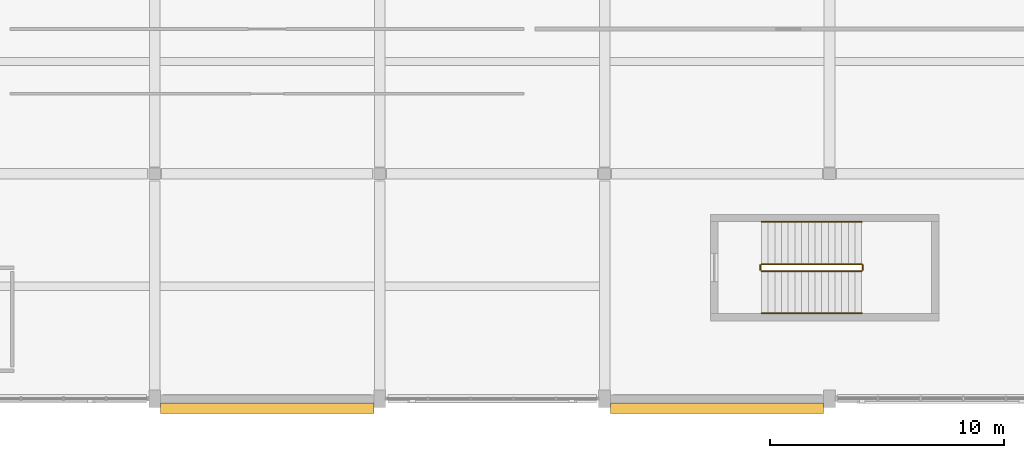
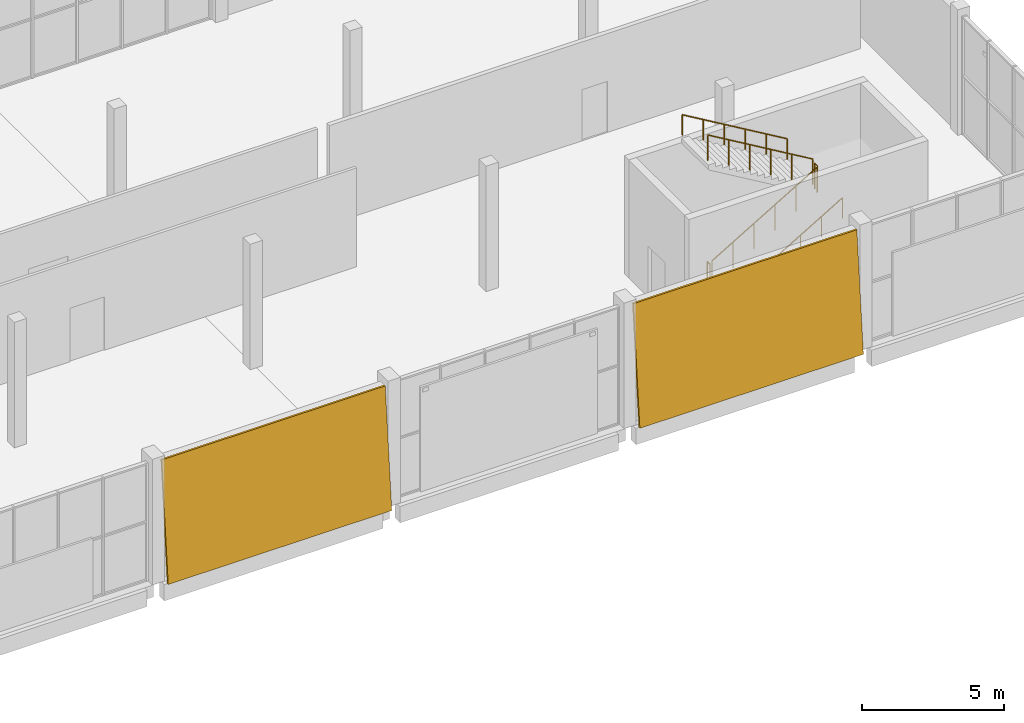
# One storey, part 69 of 83: 6 railings, 2 coverings.
"""IFC4 building model written with IfcOpenShell, lengths in metres."""

from ifc_helpers import new_model, si_unit, direction, frame, origin, origin_2d, place, context, subcontext, project, spatial, polyline, circle, outline, extrude, material, layer, layer_set, type_object, element, save


model = new_model("IFC4")

# Units and contexts
model_context = context("Model", 3, precision=1e-05, world=origin(), true_north=direction((0.0, 1.0)))
body_context = subcontext(model_context, "Body", "Model", "MODEL_VIEW")
ifc_project = project(units=[si_unit("LENGTHUNIT", "METRE"), si_unit("AREAUNIT", "SQUARE_METRE"), si_unit("VOLUMEUNIT", "CUBIC_METRE"), si_unit("PLANEANGLEUNIT", "RADIAN"), si_unit("MASSUNIT", "GRAM", prefix="KILO")], contexts=[model_context])

# Site, building, storey
site_placement = place(None, origin())
site = spatial("IfcSite", under=ifc_project, at=site_placement, CompositionType="ELEMENT")
building_placement = place(site_placement, origin())
building = spatial("IfcBuilding", under=site, at=building_placement, Name="Shalvenor Court Art Gallery", CompositionType="ELEMENT")
storey_placement = place(building_placement, frame((0.0, 0.0, 6.0)))
storey = spatial("IfcBuildingStorey", under=building, at=storey_placement, Name="L01", CompositionType="ELEMENT", Elevation=6.0)

# Coverings
ifc_material_1 = material(Name="Honed Jerusalem limestone cladding", Category="masonry")
ifc_layer = layer(ifc_material_1, 0.06494140625, Name="Honed Jerusalem limestone cladding")
ifc_layer_set = layer_set([ifc_layer], Name="Honed Jerusalem limestone cladding")
covering_type = type_object("IfcCoveringType", Name="CLD-02", PredefinedType="CLADDING", material=ifc_layer_set)
covering_1_placement = place(storey_placement, frame((48.25, -0.63232421875, 0.0), z_axis=(0.0, 0.0, 1.0), x_axis=(1.0, 0.0, 0.0)))
element("IfcCovering", 1, at=covering_1_placement, inside=storey, type_object=covering_type, Name="L01 V4 Tapered Limestone Cladding 76", PredefinedType="CLADDING", context=body_context, shape_type="SweptSolid", body=[
    extrude(outline(polyline([(0.0, 0.0), (9.10009765625, 0.0), (9.10009765625, 5.10107421875), (0.0, 5.10107421875), (0.0, 0.0)])), frame((0.0, 0.0, 0.0), z_axis=(0.0, -0.995884398616, 0.090632580198), x_axis=(1.0, 0.0, 0.0)), (0.0, 0.090632580198, -0.995884398616), 0.080322265625),
])
covering_2_placement = place(storey_placement, frame((29.050048828125, -0.63232421875, 0.0), z_axis=(0.0, 0.0, 1.0), x_axis=(1.0, 0.0, 0.0)))
element("IfcCovering", 2, at=covering_2_placement, inside=storey, type_object=covering_type, Name="L01 V4 Tapered Limestone Cladding 77", PredefinedType="CLADDING", context=body_context, shape_type="SweptSolid", body=[
    extrude(outline(polyline([(0.0, 0.0), (9.099853515625, 0.0), (9.099853515625, 5.10107421875), (0.0, 5.10107421875), (0.0, 0.0)])), frame((0.0, 0.0, 0.0), z_axis=(0.0, -0.995884398616, 0.090632580198), x_axis=(1.0, 0.0, 0.0)), (0.0, 0.090632580198, -0.995884398616), 0.080322265625),
])

# Railings
ifc_material_2 = material(Name="Painted steel post-and-rail guard", Category="steel")
railing_type_1 = type_object("IfcRailingType", Name="GR-02", PredefinedType="GUARDRAIL", material=ifc_material_2)
railing_1_placement = place(storey_placement, frame((54.699951171875, 5.449951171875, 0.168701171875)))
element("IfcRailing", 3, at=railing_1_placement, inside=storey, type_object=railing_type_1, Name="L01 ST-08 Stair Guard 1", PredefinedType="GUARDRAIL", context=body_context, shape_type="SweptSolid", body=[
    extrude(circle(Radius=0.02392578125, at=origin_2d()), frame((0.0, 0.0, 1.09619140625), z_axis=(0.860483042394, 0.0, 0.50947908078), x_axis=(0.0, 1.0, 0.0)), (0.0, 0.0, 1.0), 4.96826171875),
    extrude(circle(Radius=0.02099609375, at=origin_2d()), origin(), (0.0, 0.0, 1.0), 1.072021484375),
    extrude(circle(Radius=0.02099609375, at=origin_2d()), frame((0.85498046875, 0.0, 0.50634765625)), (0.0, 0.0, 1.0), 1.072021484375),
    extrude(circle(Radius=0.02099609375, at=origin_2d()), frame((1.7099609375, 0.0, 1.012451171875)), (0.0, 0.0, 1.0), 1.072021484375),
    extrude(circle(Radius=0.02099609375, at=origin_2d()), frame((2.565185546875, 0.0, 1.518798828125)), (0.0, 0.0, 1.0), 1.072021484375),
    extrude(circle(Radius=0.02099609375, at=origin_2d()), frame((3.420166015625, 0.0, 2.02490234375)), (0.0, 0.0, 1.0), 1.072021484375),
    extrude(circle(Radius=0.02099609375, at=origin_2d()), frame((4.275146484375, 0.0, 2.53125)), (0.0, 0.0, 1.0), 1.072021484375),
])
railing_2_placement = place(storey_placement, frame((59.02490234375, 5.5, 2.699951171875)))
element("IfcRailing", 4, at=railing_2_placement, inside=storey, type_object=railing_type_1, Name="L01 ST-08 Stair Guard 2", PredefinedType="GUARDRAIL", context=body_context, shape_type="SweptSolid", body=[
    extrude(circle(Radius=0.02392578125, at=origin_2d()), frame((0.0, 0.0, 1.09619140625), z_axis=(0.0, 1.0, 0.0), x_axis=(-1.0, 0.0, 0.0)), (0.0, 0.0, 1.0), 0.199951171875),
    extrude(circle(Radius=0.02099609375, at=origin_2d()), origin(), (0.0, 0.0, 1.0), 1.072021484375),
    extrude(circle(Radius=0.02099609375, at=origin_2d()), frame((0.0, 0.199951171875, 0.0)), (0.0, 0.0, 1.0), 1.072021484375),
])
railing_3_placement = place(storey_placement, frame((58.97509765625, 5.75, 2.86865234375)))
element("IfcRailing", 5, at=railing_3_placement, inside=storey, type_object=railing_type_1, Name="L01 ST-08 Stair Guard 3", PredefinedType="GUARDRAIL", context=body_context, shape_type="SweptSolid", body=[
    extrude(circle(Radius=0.02392578125, at=origin_2d()), frame((0.0, 0.0, 1.09619140625), z_axis=(-0.860483042394, 0.0, 0.50947908078), x_axis=(0.0, -1.0, 0.0)), (0.0, 0.0, 1.0), 4.96826171875),
    extrude(circle(Radius=0.02099609375, at=origin_2d()), origin(), (0.0, 0.0, 1.0), 1.072021484375),
    extrude(circle(Radius=0.02099609375, at=origin_2d()), frame((-0.85498046875, 0.0, 0.50634765625)), (0.0, 0.0, 1.0), 1.072021484375),
    extrude(circle(Radius=0.02099609375, at=origin_2d()), frame((-1.7099609375, 0.0, 1.012451171875)), (0.0, 0.0, 1.0), 1.072021484375),
    extrude(circle(Radius=0.02099609375, at=origin_2d()), frame((-2.565185546875, 0.0, 1.518798828125)), (0.0, 0.0, 1.0), 1.072021484375),
    extrude(circle(Radius=0.02099609375, at=origin_2d()), frame((-3.420166015625, 0.0, 2.02490234375)), (0.0, 0.0, 1.0), 1.072021484375),
    extrude(circle(Radius=0.02099609375, at=origin_2d()), frame((-4.275146484375, 0.0, 2.53125)), (0.0, 0.0, 1.0), 1.072021484375),
])
railing_4_placement = place(storey_placement, frame((54.64990234375, 5.5, 0.0)))
element("IfcRailing", 6, at=railing_4_placement, inside=storey, type_object=railing_type_1, Name="L01 ST-08 Stair Guard 4", PredefinedType="GUARDRAIL", context=body_context, shape_type="SweptSolid", body=[
    extrude(circle(Radius=0.02392578125, at=origin_2d()), frame((0.0, 0.0, 1.09619140625), z_axis=(0.0, 1.0, 0.0), x_axis=(-1.0, 0.0, 0.0)), (0.0, 0.0, 1.0), 0.199951171875),
    extrude(circle(Radius=0.02099609375, at=origin_2d()), origin(), (0.0, 0.0, 1.0), 1.072021484375),
    extrude(circle(Radius=0.02099609375, at=origin_2d()), frame((0.0, 0.199951171875, 0.0)), (0.0, 0.0, 1.0), 1.072021484375),
])
ifc_material_3 = material(Name="Brushed stainless steel handrail", Category="steel")
railing_type_2 = type_object("IfcRailingType", Name="HR-01", PredefinedType="HANDRAIL", material=ifc_material_3)
railing_5_placement = place(storey_placement, frame((54.699951171875, 3.64990234375, 0.168701171875)))
element("IfcRailing", 7, at=railing_5_placement, inside=storey, type_object=railing_type_2, Name="L01 ST-08 Stair Handrail 1", PredefinedType="HANDRAIL", context=body_context, shape_type="SweptSolid", body=[
    extrude(circle(Radius=0.02392578125, at=origin_2d()), frame((0.0, 0.0, 0.8759765625), z_axis=(0.860483042394, 0.0, 0.50947908078), x_axis=(0.0, 1.0, 0.0)), (0.0, 0.0, 1.0), 4.96826171875),
    extrude(circle(Radius=0.02099609375, at=origin_2d()), origin(), (0.0, 0.0, 1.0), 0.851806640625),
    extrude(circle(Radius=0.02099609375, at=origin_2d()), frame((0.85498046875, 0.0, 0.50634765625)), (0.0, 0.0, 1.0), 0.851806640625),
    extrude(circle(Radius=0.02099609375, at=origin_2d()), frame((1.7099609375, 0.0, 1.012451171875)), (0.0, 0.0, 1.0), 0.851806640625),
    extrude(circle(Radius=0.02099609375, at=origin_2d()), frame((2.565185546875, 0.0, 1.518798828125)), (0.0, 0.0, 1.0), 0.851806640625),
    extrude(circle(Radius=0.02099609375, at=origin_2d()), frame((3.420166015625, 0.0, 2.02490234375)), (0.0, 0.0, 1.0), 0.851806640625),
    extrude(circle(Radius=0.02099609375, at=origin_2d()), frame((4.275146484375, 0.0, 2.53125)), (0.0, 0.0, 1.0), 0.851806640625),
])
railing_6_placement = place(storey_placement, frame((58.97509765625, 7.550048828125, 2.86865234375)))
element("IfcRailing", 8, at=railing_6_placement, inside=storey, type_object=railing_type_2, Name="L01 ST-08 Stair Handrail 2", PredefinedType="HANDRAIL", context=body_context, shape_type="SweptSolid", body=[
    extrude(circle(Radius=0.02392578125, at=origin_2d()), frame((0.0, 0.0, 0.8759765625), z_axis=(-0.860483042394, 0.0, 0.50947908078), x_axis=(0.0, -1.0, 0.0)), (0.0, 0.0, 1.0), 4.96826171875),
    extrude(circle(Radius=0.02099609375, at=origin_2d()), origin(), (0.0, 0.0, 1.0), 0.851806640625),
    extrude(circle(Radius=0.02099609375, at=origin_2d()), frame((-0.85498046875, 0.0, 0.50634765625)), (0.0, 0.0, 1.0), 0.851806640625),
    extrude(circle(Radius=0.02099609375, at=origin_2d()), frame((-1.7099609375, 0.0, 1.012451171875)), (0.0, 0.0, 1.0), 0.851806640625),
    extrude(circle(Radius=0.02099609375, at=origin_2d()), frame((-2.565185546875, 0.0, 1.518798828125)), (0.0, 0.0, 1.0), 0.851806640625),
    extrude(circle(Radius=0.02099609375, at=origin_2d()), frame((-3.420166015625, 0.0, 2.02490234375)), (0.0, 0.0, 1.0), 0.851806640625),
    extrude(circle(Radius=0.02099609375, at=origin_2d()), frame((-4.275146484375, 0.0, 2.53125)), (0.0, 0.0, 1.0), 0.851806640625),
])

save(model, "model.ifc")
